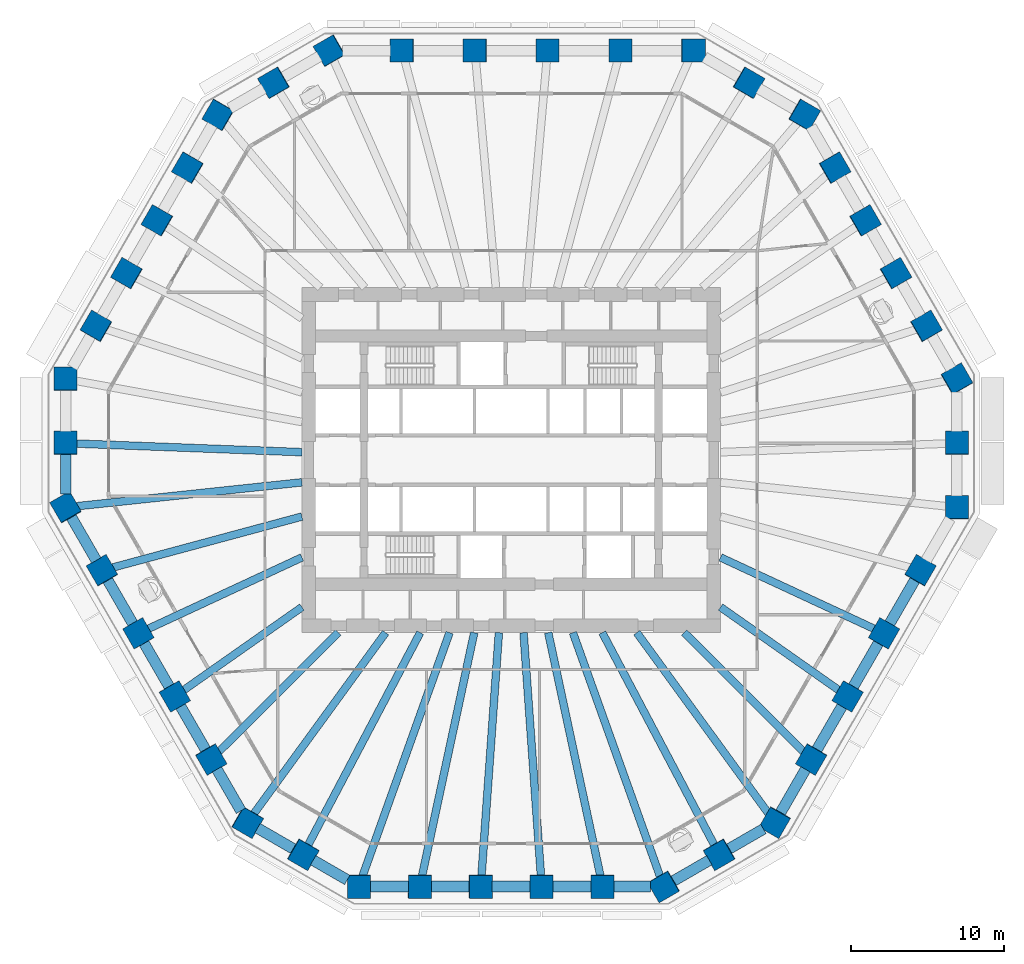
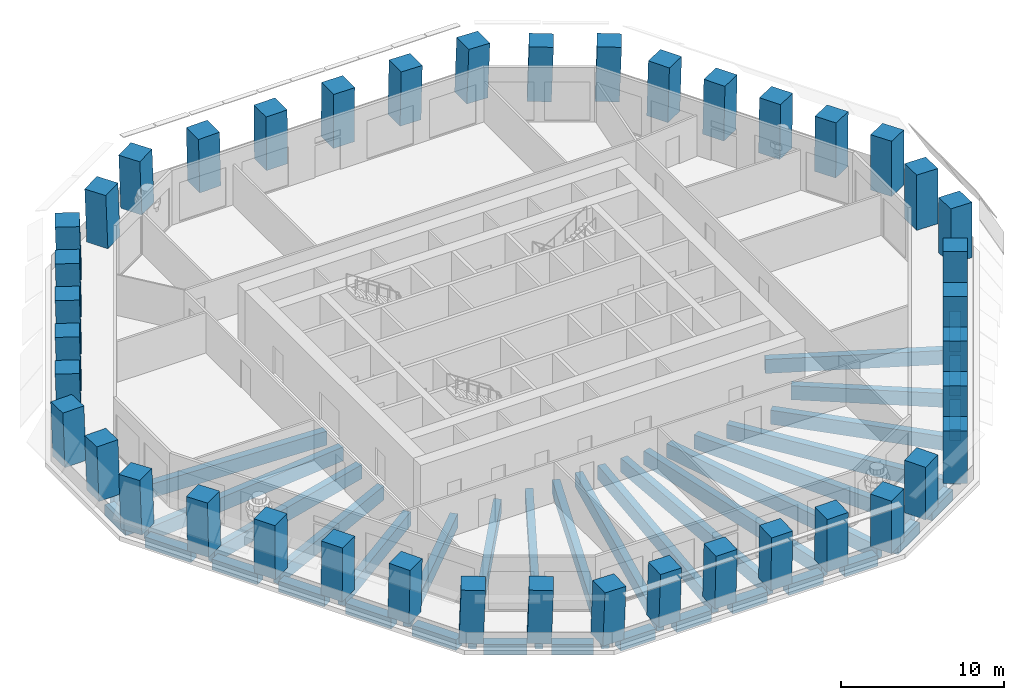
# One storey, part 1 of 12: 42 columns, 38 beams.
"""IFC4 building model written with IfcOpenShell, lengths in metres."""

from ifc_helpers import new_model, si_unit, direction, frame, origin, origin_2d, place, context, subcontext, project, spatial, rectangle, extrude, material, material_profile, profile_set, type_object, element, save


model = new_model("IFC4")

# Units and contexts
model_context = context("Model", 3, precision=1e-05, world=origin(), true_north=direction((0.0, 1.0)))
body_context = subcontext(model_context, "Body", "Model", "MODEL_VIEW")
ifc_project = project(units=[si_unit("LENGTHUNIT", "METRE"), si_unit("AREAUNIT", "SQUARE_METRE"), si_unit("VOLUMEUNIT", "CUBIC_METRE"), si_unit("PLANEANGLEUNIT", "RADIAN"), si_unit("MASSUNIT", "GRAM", prefix="KILO")], contexts=[model_context])

# Site, building, storey
site_placement = place(None, origin())
site = spatial("IfcSite", under=ifc_project, at=site_placement, CompositionType="ELEMENT")
building_placement = place(site_placement, origin())
building = spatial("IfcBuilding", under=site, at=building_placement, Name="Frailejon Research Tower", CompositionType="ELEMENT")
storey_placement = place(building_placement, frame((0.0, 0.0, 49.800048828125)))
storey = spatial("IfcBuildingStorey", under=building, at=storey_placement, Name="L11", CompositionType="ELEMENT", Elevation=49.800048828125)

# Columns
ifc_material_1 = material(Name="Concrete C70/85", Category="concrete")
ifc_material_profile_1 = material_profile(ifc_material_1, rectangle(XDim=1.5, YDim=1.5, at=origin_2d()), Name="Column 1500")
ifc_profile_set_1 = profile_set([ifc_material_profile_1], Name="Concrete C70/85")
column_type = type_object("IfcColumnType", Name="Column 1500", PredefinedType="COLUMN", material=ifc_profile_set_1)
for number, where, z_axis, x_axis, name in (
    (1, (29.051513671875, -3.081298828125, 0.0), (0.018132630042, 0.031385715123, 0.999342856388), (-2.2275817e-05, 0.999507197449, -0.031390472292), "Column C01"),
    (2, (29.051513671875, 1.106201171875, 0.0), (0.018132630042, 0.031385715123, 0.999342856388), (-2.2275817e-05, 0.999507197449, -0.031390472292), "Column C02"),
    (3, (29.051513671875, 5.293701171875, 0.0), (0.018132630042, 0.031385715123, 0.999342856388), (-0.500209083473, 0.865715193431, -0.018112886952), "Column C03"),
):
    element("IfcColumn", number, at=place(storey_placement, frame(where, z_axis=z_axis, x_axis=x_axis)), inside=storey, type_object=column_type, Name=name, PredefinedType="COLUMN", context=body_context, shape_type="SweptSolid", body=[
        extrude(rectangle(XDim=1.5, YDim=1.5, at=origin_2d()), origin(), (0.0, 0.0, 1.0), 4.052734375),
    ])
column_1_placement = place(storey_placement, frame((27.063232421875, 8.737548828125, 0.0), z_axis=(0.021749390218, 0.025123256844, 0.9994477405), x_axis=(-0.500502362591, 0.865666942435, -0.01086875412)))
element("IfcColumn", 4, at=column_1_placement, inside=storey, type_object=column_type, Name="Column C04", PredefinedType="COLUMN", context=body_context, shape_type="SweptSolid", body=[
    extrude(rectangle(XDim=1.5, YDim=1.5, at=origin_2d()), origin(), (0.0, 0.0, 1.0), 4.05224609375),
])
for number, where, z_axis, x_axis, name in (
    (5, (25.074951171875, 12.18115234375, 0.0), (0.025425794273, 0.018858468264, 0.999498817988), (-0.499709914648, 0.866185208492, -0.003631224684), "Column C05"),
    (6, (23.0869140625, 15.625, 0.0), (0.028980660531, 0.012532177527, 0.999501408624), (-0.499450496938, 0.866334867635, 0.003619147421), "Column C06"),
):
    element("IfcColumn", number, at=place(storey_placement, frame(where, z_axis=z_axis, x_axis=x_axis)), inside=storey, type_object=column_type, Name=name, PredefinedType="COLUMN", context=body_context, shape_type="SweptSolid", body=[
        extrude(rectangle(XDim=1.5, YDim=1.5, at=origin_2d()), origin(), (0.0, 0.0, 1.0), 4.052001953125),
    ])
column_2_placement = place(storey_placement, frame((21.098388671875, 19.068603515625, 0.0), z_axis=(0.032654174822, 0.006325993277, 0.999446690262), x_axis=(-0.500478631698, 0.865680616164, 0.010872442804)))
element("IfcColumn", 7, at=column_2_placement, inside=storey, type_object=column_type, Name="Column C07", PredefinedType="COLUMN", context=body_context, shape_type="SweptSolid", body=[
    extrude(rectangle(XDim=1.5, YDim=1.5, at=origin_2d()), origin(), (0.0, 0.0, 1.0), 4.05224609375),
])
for number, where, z_axis, x_axis, name in (
    (8, (19.1103515625, 22.512451171875, 0.0), (0.036205074038, 0.0, 0.999344381389), (-0.865315435316, 0.500246354177, 0.031349362627), "Column C08"),
    (9, (15.483642578125, 24.606201171875, 0.0), (0.036265236264, 0.0, 0.999342199969), (-0.865313546461, 0.500246354177, 0.031401456084), "Column C09"),
    (10, (11.857177734375, 26.699951171875, 0.0), (0.036265236264, 0.0, 0.999342199969), (-0.999342199969, 0.0, 0.036265236264), "Column C10"),
):
    element("IfcColumn", number, at=place(storey_placement, frame(where, z_axis=z_axis, x_axis=x_axis)), inside=storey, type_object=column_type, Name=name, PredefinedType="COLUMN", context=body_context, shape_type="SweptSolid", body=[
        extrude(rectangle(XDim=1.5, YDim=1.5, at=origin_2d()), origin(), (0.0, 0.0, 1.0), 4.052734375),
    ])
column_3_placement = place(storey_placement, frame((7.1142578125, 26.699951171875, 0.0), z_axis=(0.021756257337, 0.0, 0.999763304621), x_axis=(-0.999763304621, 0.0, 0.021756257337)))
element("IfcColumn", 11, at=column_3_placement, inside=storey, type_object=column_type, Name="Column C11", PredefinedType="COLUMN", context=body_context, shape_type="SweptSolid", body=[
    extrude(rectangle(XDim=1.5, YDim=1.5, at=origin_2d()), origin(), (0.0, 0.0, 1.0), 4.051025390625),
])
for number, where, z_axis, x_axis, name in (
    (12, (2.371337890625, 26.699951171875, 0.0), (0.007293795973, 0.0, 0.999973399916), (-0.999973399916, 0.0, 0.007293795973), "Column C12"),
    (13, (-2.371337890625, 26.699951171875, 0.0), (-0.007293795973, 0.0, 0.999973399916), (-0.999973399916, 0.0, -0.007293795973), "Column C13"),
):
    element("IfcColumn", number, at=place(storey_placement, frame(where, z_axis=z_axis, x_axis=x_axis)), inside=storey, type_object=column_type, Name=name, PredefinedType="COLUMN", context=body_context, shape_type="SweptSolid", body=[
        extrude(rectangle(XDim=1.5, YDim=1.5, at=origin_2d()), origin(), (0.0, 0.0, 1.0), 4.050048828125),
    ])
column_4_placement = place(storey_placement, frame((-7.1142578125, 26.699951171875, 0.0), z_axis=(-0.021756257337, 0.0, 0.999763304621), x_axis=(-0.999763304621, 0.0, -0.021756257337)))
element("IfcColumn", 14, at=column_4_placement, inside=storey, type_object=column_type, Name="Column C14", PredefinedType="COLUMN", context=body_context, shape_type="SweptSolid", body=[
    extrude(rectangle(XDim=1.5, YDim=1.5, at=origin_2d()), origin(), (0.0, 0.0, 1.0), 4.051025390625),
])
for number, where, z_axis, x_axis, name in (
    (15, (-11.857177734375, 26.699951171875, 0.0), (-0.036265236264, 0.0, 0.999342199969), (-0.865313546461, -0.500246354177, -0.031401456084), "Column C15"),
    (16, (-15.483642578125, 24.606201171875, 0.0), (-0.036265236264, 0.0, 0.999342199969), (-0.865313546461, -0.500246354177, -0.031401456084), "Column C16"),
    (17, (-19.1103515625, 22.512451171875, 0.0), (-0.036205074038, 0.0, 0.999344381389), (-0.499425957592, -0.866167613071, -0.018093616283), "Column C17"),
):
    element("IfcColumn", number, at=place(storey_placement, frame(where, z_axis=z_axis, x_axis=x_axis)), inside=storey, type_object=column_type, Name=name, PredefinedType="COLUMN", context=body_context, shape_type="SweptSolid", body=[
        extrude(rectangle(XDim=1.5, YDim=1.5, at=origin_2d()), origin(), (0.0, 0.0, 1.0), 4.052734375),
    ])
column_5_placement = place(storey_placement, frame((-21.098388671875, 19.068603515625, 0.0), z_axis=(-0.032654174822, 0.006325993277, 0.999446690262), x_axis=(-0.500478631698, -0.865680616164, -0.010872442804)))
element("IfcColumn", 18, at=column_5_placement, inside=storey, type_object=column_type, Name="Column C18", PredefinedType="COLUMN", context=body_context, shape_type="SweptSolid", body=[
    extrude(rectangle(XDim=1.5, YDim=1.5, at=origin_2d()), origin(), (0.0, 0.0, 1.0), 4.05224609375),
])
for number, where, z_axis, x_axis, name in (
    (19, (-23.0869140625, 15.625, 0.0), (-0.028980660531, 0.012532177527, 0.999501408624), (-0.499450496938, -0.866334867635, -0.003619147421), "Column C19"),
    (20, (-25.074951171875, 12.18115234375, 0.0), (-0.025425794273, 0.018858468264, 0.999498817988), (-0.499709914648, -0.866185208492, 0.003631224684), "Column C20"),
):
    element("IfcColumn", number, at=place(storey_placement, frame(where, z_axis=z_axis, x_axis=x_axis)), inside=storey, type_object=column_type, Name=name, PredefinedType="COLUMN", context=body_context, shape_type="SweptSolid", body=[
        extrude(rectangle(XDim=1.5, YDim=1.5, at=origin_2d()), origin(), (0.0, 0.0, 1.0), 4.052001953125),
    ])
column_6_placement = place(storey_placement, frame((-27.063232421875, 8.737548828125, 0.0), z_axis=(-0.021749390218, 0.025123256844, 0.9994477405), x_axis=(-0.500502362591, -0.865666942435, 0.01086875412)))
element("IfcColumn", 21, at=column_6_placement, inside=storey, type_object=column_type, Name="Column C21", PredefinedType="COLUMN", context=body_context, shape_type="SweptSolid", body=[
    extrude(rectangle(XDim=1.5, YDim=1.5, at=origin_2d()), origin(), (0.0, 0.0, 1.0), 4.05224609375),
])
for number, where, z_axis, x_axis, name in (
    (22, (-29.051513671875, 5.293701171875, 0.0), (-0.018132630042, 0.031385715123, 0.999342856388), (-0.000336383425, -0.999507319949, 0.031384776797), "Column C22"),
    (23, (-29.051513671875, 1.106201171875, 0.0), (-0.018132630042, 0.031385715123, 0.999342856388), (-2.2275817e-05, -0.999507197449, 0.031390472292), "Column C23"),
    (24, (-29.051513671875, -3.081298828125, 0.0), (-0.018132630042, 0.031385715123, 0.999342856388), (0.50014482047, -0.865182814935, 0.036247141934), "Column C24"),
):
    element("IfcColumn", number, at=place(storey_placement, frame(where, z_axis=z_axis, x_axis=x_axis)), inside=storey, type_object=column_type, Name=name, PredefinedType="COLUMN", context=body_context, shape_type="SweptSolid", body=[
        extrude(rectangle(XDim=1.5, YDim=1.5, at=origin_2d()), origin(), (0.0, 0.0, 1.0), 4.052734375),
    ])
column_7_placement = place(storey_placement, frame((-26.679931640625, -7.188720703125, 0.0), z_axis=(-0.010908266268, 0.018803199313, 0.999763696792), x_axis=(0.501388074159, -0.864949390756, 0.021738227219)))
element("IfcColumn", 25, at=column_7_placement, inside=storey, type_object=column_type, Name="Column C25", PredefinedType="COLUMN", context=body_context, shape_type="SweptSolid", body=[
    extrude(rectangle(XDim=1.5, YDim=1.5, at=origin_2d()), origin(), (0.0, 0.0, 1.0), 4.051025390625),
])
for number, where, z_axis, x_axis, name in (
    (26, (-24.30859375, -11.29638671875, 0.0), (-0.003616758439, 0.006329327268, 0.999973428984), (0.495951477881, -0.868319636001, 0.00728980954), "Column C26"),
    (27, (-21.937255859375, -15.40380859375, 0.0), (0.003616759812, -0.006269050341, 0.999973808685), (0.499535500447, -0.866263182786, -0.007237536985), "Column C27"),
):
    element("IfcColumn", number, at=place(storey_placement, frame(where, z_axis=z_axis, x_axis=x_axis)), inside=storey, type_object=column_type, Name=name, PredefinedType="COLUMN", context=body_context, shape_type="SweptSolid", body=[
        extrude(rectangle(XDim=1.5, YDim=1.5, at=origin_2d()), origin(), (0.0, 0.0, 1.0), 4.050048828125),
    ])
column_8_placement = place(storey_placement, frame((-19.565673828125, -19.51123046875, 0.0), z_axis=(0.010908266268, -0.018803199313, 0.999763696792), x_axis=(0.501388074159, -0.864949390756, -0.021738227219)))
element("IfcColumn", 28, at=column_8_placement, inside=storey, type_object=column_type, Name="Column C28", PredefinedType="COLUMN", context=body_context, shape_type="SweptSolid", body=[
    extrude(rectangle(XDim=1.5, YDim=1.5, at=origin_2d()), origin(), (0.0, 0.0, 1.0), 4.051025390625),
])
for number, where, z_axis, x_axis, name in (
    (29, (-17.1943359375, -23.61865234375, 0.0), (0.018132630042, -0.031385715123, 0.999342856388), (0.865884970752, -0.499257274245, -0.031390946777), "Column C29"),
    (30, (-13.567626953125, -25.71240234375, 0.0), (0.018132630042, -0.031385715123, 0.999342856388), (0.866156195426, -0.498787200508, -0.031381104725), "Column C30"),
    (31, (-9.941162109375, -27.80615234375, 0.0), (0.018132595726, -0.031445896907, 0.999340965106), (0.999835550636, 0.000286381875, -0.018132558286), "Column C31"),
):
    element("IfcColumn", number, at=place(storey_placement, frame(where, z_axis=z_axis, x_axis=x_axis)), inside=storey, type_object=column_type, Name=name, PredefinedType="COLUMN", context=body_context, shape_type="SweptSolid", body=[
        extrude(rectangle(XDim=1.5, YDim=1.5, at=origin_2d()), origin(), (0.0, 0.0, 1.0), 4.052734375),
    ])
column_9_placement = place(storey_placement, frame((-5.964599609375, -27.80615234375, 0.0), z_axis=(0.010844558034, -0.031449218299, 0.999446517944), x_axis=(0.999940272601, -0.001017302155, -0.010881926626)))
element("IfcColumn", 32, at=column_9_placement, inside=storey, type_object=column_type, Name="Column C32", PredefinedType="COLUMN", context=body_context, shape_type="SweptSolid", body=[
    extrude(rectangle(XDim=1.5, YDim=1.5, at=origin_2d()), origin(), (0.0, 0.0, 1.0), 4.05224609375),
])
for number, where, z_axis, x_axis, name in (
    (33, (-1.98828125, -27.80615234375, 0.0), (0.003615041636, -0.031450862236, 0.999498761749), (0.999993465412, 8.9073869e-05, -0.003614028053), "Column C33"),
    (34, (1.98828125, -27.80615234375, 0.0), (-0.003615041636, -0.031450862236, 0.999498761749), (0.999993465412, -8.9073869e-05, 0.003614028053), "Column C34"),
):
    element("IfcColumn", number, at=place(storey_placement, frame(where, z_axis=z_axis, x_axis=x_axis)), inside=storey, type_object=column_type, Name=name, PredefinedType="COLUMN", context=body_context, shape_type="SweptSolid", body=[
        extrude(rectangle(XDim=1.5, YDim=1.5, at=origin_2d()), origin(), (0.0, 0.0, 1.0), 4.052001953125),
    ])
column_10_placement = place(storey_placement, frame((5.964599609375, -27.80615234375, 0.0), z_axis=(-0.010844558034, -0.031449218299, 0.999446517944), x_axis=(0.999940272601, 0.001017302155, 0.010881926626)))
element("IfcColumn", 35, at=column_10_placement, inside=storey, type_object=column_type, Name="Column C35", PredefinedType="COLUMN", context=body_context, shape_type="SweptSolid", body=[
    extrude(rectangle(XDim=1.5, YDim=1.5, at=origin_2d()), origin(), (0.0, 0.0, 1.0), 4.05224609375),
])
for number, where, z_axis, x_axis, name in (
    (36, (9.941162109375, -27.80615234375, 0.0), (-0.018132595726, -0.031445896907, 0.999340965106), (0.865740985748, 0.499504693256, 0.031426215359), "Column C36"),
    (37, (13.567626953125, -25.71240234375, 0.0), (-0.018132630042, -0.031385715123, 0.999342856388), (0.866156195426, 0.498787200508, 0.031381104725), "Column C37"),
    (38, (17.1943359375, -23.61865234375, 0.0), (-0.018132630042, -0.031385715123, 0.999342856388), (0.499674818932, 0.865454343132, 0.036247141676), "Column C38"),
):
    element("IfcColumn", number, at=place(storey_placement, frame(where, z_axis=z_axis, x_axis=x_axis)), inside=storey, type_object=column_type, Name=name, PredefinedType="COLUMN", context=body_context, shape_type="SweptSolid", body=[
        extrude(rectangle(XDim=1.5, YDim=1.5, at=origin_2d()), origin(), (0.0, 0.0, 1.0), 4.052734375),
    ])
column_11_placement = place(storey_placement, frame((19.565673828125, -19.51123046875, 0.0), z_axis=(-0.010908266268, -0.018803199313, 0.999763696792), x_axis=(0.501388074159, 0.864949390756, 0.021738227219)))
element("IfcColumn", 39, at=column_11_placement, inside=storey, type_object=column_type, Name="Column C39", PredefinedType="COLUMN", context=body_context, shape_type="SweptSolid", body=[
    extrude(rectangle(XDim=1.5, YDim=1.5, at=origin_2d()), origin(), (0.0, 0.0, 1.0), 4.051025390625),
])
for number, where, z_axis, x_axis, name in (
    (40, (21.937255859375, -15.40380859375, 0.0), (-0.003616759812, -0.006269050341, 0.999973808685), (0.499535500447, 0.866263182786, 0.007237536985), "Column C40"),
    (41, (24.30859375, -11.29638671875, 0.0), (0.003616758439, 0.006329327268, 0.999973428984), (0.495951477881, 0.868319636001, -0.00728980954), "Column C41"),
):
    element("IfcColumn", number, at=place(storey_placement, frame(where, z_axis=z_axis, x_axis=x_axis)), inside=storey, type_object=column_type, Name=name, PredefinedType="COLUMN", context=body_context, shape_type="SweptSolid", body=[
        extrude(rectangle(XDim=1.5, YDim=1.5, at=origin_2d()), origin(), (0.0, 0.0, 1.0), 4.050048828125),
    ])
column_12_placement = place(storey_placement, frame((26.679931640625, -7.188720703125, 0.0), z_axis=(0.010908266268, 0.018803199313, 0.999763696792), x_axis=(0.501388074159, 0.864949390756, -0.021738227219)))
element("IfcColumn", 42, at=column_12_placement, inside=storey, type_object=column_type, Name="Column C42", PredefinedType="COLUMN", context=body_context, shape_type="SweptSolid", body=[
    extrude(rectangle(XDim=1.5, YDim=1.5, at=origin_2d()), origin(), (0.0, 0.0, 1.0), 4.051025390625),
])

# Beams
ifc_material_2 = material(Name="Concrete C60/75", Category="concrete")
ifc_material_profile_2 = material_profile(ifc_material_2, rectangle(XDim=0.5, YDim=1.050048828125, at=origin_2d()), Name="Girder 500x1050")
ifc_profile_set_2 = profile_set([ifc_material_profile_2], Name="Concrete C60/75")
beam_type_1 = type_object("IfcBeamType", Name="Girder 500x1050", PredefinedType="BEAM", material=ifc_profile_set_2)
beam_1_placement = place(storey_placement, frame((-28.451416015625, 1.083251953125, -0.824951171875), z_axis=(0.999276168094, -0.038041291767, 0.0), x_axis=(0.038041291767, 0.999276168094, 0.0)))
element("IfcBeam", 43, at=beam_1_placement, inside=storey, type_object=beam_type_1, Name="Girder 500x1050", PredefinedType="BEAM", context=body_context, shape_type="SweptSolid", body=[
    extrude(rectangle(XDim=0.5, YDim=1.050048828125, at=origin_2d()), origin(), (0.0, 0.0, 1.0), 14.812255859375),
])
beam_2_placement = place(storey_placement, frame((-28.384521484375, -3.0107421875, -0.824951171875), z_axis=(0.994420987406, 0.10548412111, 0.0), x_axis=(-0.10548412111, 0.994420987406, 0.0)))
element("IfcBeam", 44, at=beam_2_placement, inside=storey, type_object=beam_type_1, Name="Girder 500x1050", PredefinedType="BEAM", context=body_context, shape_type="SweptSolid", body=[
    extrude(rectangle(XDim=0.5, YDim=1.050048828125, at=origin_2d()), origin(), (0.0, 0.0, 1.0), 14.8173828125),
])
beam_3_placement = place(storey_placement, frame((-26.075439453125, -7.02587890625, -0.824951171875), z_axis=(0.965565733817, 0.260159208328, 0.0), x_axis=(-0.260159208328, 0.965565733817, 0.0)))
element("IfcBeam", 45, at=beam_3_placement, inside=storey, type_object=beam_type_1, Name="Girder 500x1050", PredefinedType="BEAM", context=body_context, shape_type="SweptSolid", body=[
    extrude(rectangle(XDim=0.5, YDim=1.050048828125, at=origin_2d()), origin(), (0.0, 0.0, 1.0), 12.86865234375),
])
beam_4_placement = place(storey_placement, frame((-23.76171875, -11.042236328125, -0.824951171875), z_axis=(0.906864951715, 0.421421356069, 0.0), x_axis=(-0.421421356069, 0.906864951715, 0.0)))
element("IfcBeam", 46, at=beam_4_placement, inside=storey, type_object=beam_type_1, Name="Girder 500x1050", PredefinedType="BEAM", context=body_context, shape_type="SweptSolid", body=[
    extrude(rectangle(XDim=0.5, YDim=1.050048828125, at=origin_2d()), origin(), (0.0, 0.0, 1.0), 11.150390625),
])
beam_5_placement = place(storey_placement, frame((-21.443603515625, -15.05712890625, -0.824951171875), z_axis=(0.818401224308, 0.574647227481, 0.0), x_axis=(-0.574647227481, 0.818401224308, 0.0)))
element("IfcBeam", 47, at=beam_5_placement, inside=storey, type_object=beam_type_1, Name="Girder 500x1050", PredefinedType="BEAM", context=body_context, shape_type="SweptSolid", body=[
    extrude(rectangle(XDim=0.5, YDim=1.050048828125, at=origin_2d()), origin(), (0.0, 0.0, 1.0), 9.523193359375),
])
beam_6_placement = place(storey_placement, frame((-19.122314453125, -19.069091796875, -0.824951171875), z_axis=(0.708087227733, 0.706124973303, 0.0), x_axis=(-0.706124973303, 0.708087227733, 0.0)))
element("IfcBeam", 48, at=beam_6_placement, inside=storey, type_object=beam_type_1, Name="Girder 500x1050", PredefinedType="BEAM", context=body_context, shape_type="SweptSolid", body=[
    extrude(rectangle(XDim=0.5, YDim=1.050048828125, at=origin_2d()), origin(), (0.0, 0.0, 1.0), 11.0732421875),
])
beam_7_placement = place(storey_placement, frame((-16.838623046875, -23.130126953125, -0.824951171875), z_axis=(0.588553935508, 0.808457954997, 0.0), x_axis=(-0.808457954997, 0.588553935508, 0.0)))
element("IfcBeam", 49, at=beam_7_placement, inside=storey, type_object=beam_type_1, Name="Girder 500x1050", PredefinedType="BEAM", context=body_context, shape_type="SweptSolid", body=[
    extrude(rectangle(XDim=0.5, YDim=1.050048828125, at=origin_2d()), origin(), (0.0, 0.0, 1.0), 14.69482421875),
])
beam_8_placement = place(storey_placement, frame((-13.287353515625, -25.181396484375, -0.824951171875), z_axis=(0.466678811635, 0.884426869091, 0.0), x_axis=(-0.884426869091, 0.466678811635, 0.0)))
element("IfcBeam", 50, at=beam_8_placement, inside=storey, type_object=beam_type_1, Name="Girder 500x1050", PredefinedType="BEAM", context=body_context, shape_type="SweptSolid", body=[
    extrude(rectangle(XDim=0.5, YDim=1.050048828125, at=origin_2d()), origin(), (0.0, 0.0, 1.0), 15.751953125),
])
beam_9_placement = place(storey_placement, frame((-9.7236328125, -27.197509765625, -0.824951171875), z_axis=(0.336644126179, 0.941631951619, 0.0), x_axis=(-0.941631951619, 0.336644126179, 0.0)))
element("IfcBeam", 51, at=beam_9_placement, inside=storey, type_object=beam_type_1, Name="Girder 500x1050", PredefinedType="BEAM", context=body_context, shape_type="SweptSolid", body=[
    extrude(rectangle(XDim=0.5, YDim=1.050048828125, at=origin_2d()), origin(), (0.0, 0.0, 1.0), 16.93603515625),
])
beam_10_placement = place(storey_placement, frame((-5.835205078125, -27.202880859375, -0.824951171875), z_axis=(0.20974265959, 0.977756624497, 0.0), x_axis=(-0.977756624497, 0.20974265959, 0.0)))
element("IfcBeam", 52, at=beam_10_placement, inside=storey, type_object=beam_type_1, Name="Girder 500x1050", PredefinedType="BEAM", context=body_context, shape_type="SweptSolid", body=[
    extrude(rectangle(XDim=0.5, YDim=1.050048828125, at=origin_2d()), origin(), (0.0, 0.0, 1.0), 16.31591796875),
])
for number, where, z_axis, x_axis, name in (
    (53, (-1.9453125, -27.205810546875, -0.824951171875), (0.071319719011, 0.997453506526, 0.0), (-0.997453506526, 0.071319719011, 0.0), "Girder 500x1050"),
    (54, (1.9453125, -27.205810546875, -0.824951171875), (-0.071319719011, 0.997453506526, 0.0), (-0.997453506526, -0.071319719011, 0.0), "Girder 500x1050"),
):
    element("IfcBeam", number, at=place(storey_placement, frame(where, z_axis=z_axis, x_axis=x_axis)), inside=storey, type_object=beam_type_1, Name=name, PredefinedType="BEAM", context=body_context, shape_type="SweptSolid", body=[
        extrude(rectangle(XDim=0.5, YDim=1.050048828125, at=origin_2d()), origin(), (0.0, 0.0, 1.0), 15.99658203125),
    ])
beam_11_placement = place(storey_placement, frame((5.835205078125, -27.202880859375, -0.824951171875), z_axis=(-0.20974265959, 0.977756624497, 0.0), x_axis=(-0.977756624497, -0.20974265959, 0.0)))
element("IfcBeam", 55, at=beam_11_placement, inside=storey, type_object=beam_type_1, Name="Girder 500x1050", PredefinedType="BEAM", context=body_context, shape_type="SweptSolid", body=[
    extrude(rectangle(XDim=0.5, YDim=1.050048828125, at=origin_2d()), origin(), (0.0, 0.0, 1.0), 16.31591796875),
])
beam_12_placement = place(storey_placement, frame((9.735107421875, -27.2294921875, -0.824951171875), z_axis=(-0.336646243842, 0.941631194527, 0.0), x_axis=(-0.941631194527, -0.336646243842, 0.0)))
element("IfcBeam", 56, at=beam_12_placement, inside=storey, type_object=beam_type_1, Name="Girder 500x1050", PredefinedType="BEAM", context=body_context, shape_type="SweptSolid", body=[
    extrude(rectangle(XDim=0.5, YDim=1.050048828125, at=origin_2d()), origin(), (0.0, 0.0, 1.0), 16.969970703125),
])
beam_13_placement = place(storey_placement, frame((13.287353515625, -25.181396484375, -0.824951171875), z_axis=(-0.466678811635, 0.884426869091, 0.0), x_axis=(-0.884426869091, -0.466678811635, 0.0)))
element("IfcBeam", 57, at=beam_13_placement, inside=storey, type_object=beam_type_1, Name="Girder 500x1050", PredefinedType="BEAM", context=body_context, shape_type="SweptSolid", body=[
    extrude(rectangle(XDim=0.5, YDim=1.050048828125, at=origin_2d()), origin(), (0.0, 0.0, 1.0), 15.751953125),
])
beam_14_placement = place(storey_placement, frame((16.799560546875, -23.076416015625, -0.824951171875), z_axis=(-0.588555670583, 0.808456691867, 0.0), x_axis=(-0.808456691867, -0.588555670583, 0.0)))
element("IfcBeam", 58, at=beam_14_placement, inside=storey, type_object=beam_type_1, Name="Girder 500x1050", PredefinedType="BEAM", context=body_context, shape_type="SweptSolid", body=[
    extrude(rectangle(XDim=0.5, YDim=1.050048828125, at=origin_2d()), origin(), (0.0, 0.0, 1.0), 14.62841796875),
])
beam_15_placement = place(storey_placement, frame((19.122314453125, -19.069091796875, -0.824951171875), z_axis=(-0.708087227733, 0.706124973303, 0.0), x_axis=(-0.706124973303, -0.708087227733, 0.0)))
element("IfcBeam", 59, at=beam_15_placement, inside=storey, type_object=beam_type_1, Name="Girder 500x1050", PredefinedType="BEAM", context=body_context, shape_type="SweptSolid", body=[
    extrude(rectangle(XDim=0.5, YDim=1.050048828125, at=origin_2d()), origin(), (0.0, 0.0, 1.0), 11.0732421875),
])
beam_16_placement = place(storey_placement, frame((21.443603515625, -15.05712890625, -0.824951171875), z_axis=(-0.818401224308, 0.574647227481, 0.0), x_axis=(-0.574647227481, -0.818401224308, 0.0)))
element("IfcBeam", 60, at=beam_16_placement, inside=storey, type_object=beam_type_1, Name="Girder 500x1050", PredefinedType="BEAM", context=body_context, shape_type="SweptSolid", body=[
    extrude(rectangle(XDim=0.5, YDim=1.050048828125, at=origin_2d()), origin(), (0.0, 0.0, 1.0), 9.523193359375),
])
beam_17_placement = place(storey_placement, frame((23.76171875, -11.042236328125, -0.824951171875), z_axis=(-0.906864951715, 0.421421356069, 0.0), x_axis=(-0.421421356069, -0.906864951715, 0.0)))
element("IfcBeam", 61, at=beam_17_placement, inside=storey, type_object=beam_type_1, Name="Girder 500x1050", PredefinedType="BEAM", context=body_context, shape_type="SweptSolid", body=[
    extrude(rectangle(XDim=0.5, YDim=1.050048828125, at=origin_2d()), origin(), (0.0, 0.0, 1.0), 11.150390625),
])
ifc_material_3 = material(Name="Concrete C60/75", Category="concrete")
ifc_material_profile_3 = material_profile(ifc_material_3, rectangle(XDim=0.699951171875, YDim=0.800048828125, at=origin_2d()), Name="Spandrel 700x800")
ifc_profile_set_3 = profile_set([ifc_material_profile_3], Name="Concrete C60/75")
beam_type_2 = type_object("IfcBeamType", Name="Spandrel 700x800", PredefinedType="BEAM", material=ifc_profile_set_3)
beam_18_placement = place(storey_placement, frame((-29.051513671875, 0.356201171875, -0.75), z_axis=(0.0, -1.0, 0.0), x_axis=(1.0, 0.0, 0.0)))
element("IfcBeam", 62, at=beam_18_placement, inside=storey, type_object=beam_type_2, Name="Spandrel 700x800", PredefinedType="BEAM", context=body_context, shape_type="SweptSolid", body=[
    extrude(rectangle(XDim=0.699951171875, YDim=0.800048828125, at=origin_2d()), origin(), (0.0, 0.0, 1.0), 2.571533203125),
])
beam_19_placement = place(storey_placement, frame((-28.676513671875, -3.73095703125, -0.75), z_axis=(0.500041774222, -0.866001284083, 0.0), x_axis=(0.866001284083, 0.500041774222, 0.0)))
element("IfcBeam", 63, at=beam_19_placement, inside=storey, type_object=beam_type_2, Name="Spandrel 700x800", PredefinedType="BEAM", context=body_context, shape_type="SweptSolid", body=[
    extrude(rectangle(XDim=0.699951171875, YDim=0.800048828125, at=origin_2d()), origin(), (0.0, 0.0, 1.0), 3.242919921875),
])
for number, where, z_axis, x_axis, name in (
    (64, (-26.304931640625, -7.83837890625, -0.75), (0.499985310564, -0.866033884568, 0.0), (0.866033884568, 0.499985310564, 0.0), "Spandrel 700x800"),
    (65, (-23.93359375, -11.94580078125, -0.75), (0.499985310564, -0.866033884568, 0.0), (0.866033884568, 0.499985310564, 0.0), "Spandrel 700x800"),
):
    element("IfcBeam", number, at=place(storey_placement, frame(where, z_axis=z_axis, x_axis=x_axis)), inside=storey, type_object=beam_type_2, Name=name, PredefinedType="BEAM", context=body_context, shape_type="SweptSolid", body=[
        extrude(rectangle(XDim=0.699951171875, YDim=0.800048828125, at=origin_2d()), origin(), (0.0, 0.0, 1.0), 3.24267578125),
    ])
beam_20_placement = place(storey_placement, frame((-21.562255859375, -16.05322265625, -0.75), z_axis=(0.500009174894, -0.866020106592, 0.0), x_axis=(0.866020106592, 0.500009174894, 0.0)))
element("IfcBeam", 66, at=beam_20_placement, inside=storey, type_object=beam_type_2, Name="Spandrel 700x800", PredefinedType="BEAM", context=body_context, shape_type="SweptSolid", body=[
    extrude(rectangle(XDim=0.699951171875, YDim=0.800048828125, at=origin_2d()), origin(), (0.0, 0.0, 1.0), 3.2431640625),
])
beam_21_placement = place(storey_placement, frame((-19.190673828125, -20.16064453125, -0.75), z_axis=(0.500001804394, -0.866024362014, 0.0), x_axis=(0.866024362014, 0.500001804394, 0.0)))
element("IfcBeam", 67, at=beam_21_placement, inside=storey, type_object=beam_type_2, Name="Spandrel 700x800", PredefinedType="BEAM", context=body_context, shape_type="SweptSolid", body=[
    extrude(rectangle(XDim=0.699951171875, YDim=0.800048828125, at=origin_2d()), origin(), (0.0, 0.0, 1.0), 3.126953125),
])
beam_22_placement = place(storey_placement, frame((-16.544921875, -23.99365234375, -0.75), z_axis=(0.866043397086, -0.499968833392, 0.0), x_axis=(0.499968833392, 0.866043397086, 0.0)))
element("IfcBeam", 68, at=beam_22_placement, inside=storey, type_object=beam_type_2, Name="Spandrel 700x800", PredefinedType="BEAM", context=body_context, shape_type="SweptSolid", body=[
    extrude(rectangle(XDim=0.699951171875, YDim=0.800048828125, at=origin_2d()), origin(), (0.0, 0.0, 1.0), 2.687744140625),
])
beam_23_placement = place(storey_placement, frame((-12.918212890625, -26.08740234375, -0.75), z_axis=(0.866008514048, -0.50002925274, 0.0), x_axis=(0.50002925274, 0.866008514048, 0.0)))
element("IfcBeam", 69, at=beam_23_placement, inside=storey, type_object=beam_type_2, Name="Spandrel 700x800", PredefinedType="BEAM", context=body_context, shape_type="SweptSolid", body=[
    extrude(rectangle(XDim=0.699951171875, YDim=0.800048828125, at=origin_2d()), origin(), (0.0, 0.0, 1.0), 2.571533203125),
])
beam_24_placement = place(storey_placement, frame((-9.191162109375, -27.80615234375, -0.75), z_axis=(1.0, 0.0, 0.0), x_axis=(0.0, 1.0, 0.0)))
element("IfcBeam", 70, at=beam_24_placement, inside=storey, type_object=beam_type_2, Name="Spandrel 700x800", PredefinedType="BEAM", context=body_context, shape_type="SweptSolid", body=[
    extrude(rectangle(XDim=0.699951171875, YDim=0.800048828125, at=origin_2d()), origin(), (0.0, 0.0, 1.0), 2.4765625),
])
beam_25_placement = place(storey_placement, frame((-5.214599609375, -27.80615234375, -0.75), z_axis=(1.0, 0.0, 0.0), x_axis=(0.0, 1.0, 0.0)))
element("IfcBeam", 71, at=beam_25_placement, inside=storey, type_object=beam_type_2, Name="Spandrel 700x800", PredefinedType="BEAM", context=body_context, shape_type="SweptSolid", body=[
    extrude(rectangle(XDim=0.699951171875, YDim=0.800048828125, at=origin_2d()), origin(), (0.0, 0.0, 1.0), 2.476318359375),
])
beam_26_placement = place(storey_placement, frame((-1.23828125, -27.80615234375, -0.75), z_axis=(1.0, 0.0, 0.0), x_axis=(0.0, 1.0, 0.0)))
element("IfcBeam", 72, at=beam_26_placement, inside=storey, type_object=beam_type_2, Name="Spandrel 700x800", PredefinedType="BEAM", context=body_context, shape_type="SweptSolid", body=[
    extrude(rectangle(XDim=0.699951171875, YDim=0.800048828125, at=origin_2d()), origin(), (0.0, 0.0, 1.0), 2.4765625),
])
beam_27_placement = place(storey_placement, frame((2.73828125, -27.80615234375, -0.75), z_axis=(1.0, 0.0, 0.0), x_axis=(0.0, 1.0, 0.0)))
element("IfcBeam", 73, at=beam_27_placement, inside=storey, type_object=beam_type_2, Name="Spandrel 700x800", PredefinedType="BEAM", context=body_context, shape_type="SweptSolid", body=[
    extrude(rectangle(XDim=0.699951171875, YDim=0.800048828125, at=origin_2d()), origin(), (0.0, 0.0, 1.0), 2.476318359375),
])
beam_28_placement = place(storey_placement, frame((6.714599609375, -27.80615234375, -0.75), z_axis=(1.0, 0.0, 0.0), x_axis=(0.0, 1.0, 0.0)))
element("IfcBeam", 74, at=beam_28_placement, inside=storey, type_object=beam_type_2, Name="Spandrel 700x800", PredefinedType="BEAM", context=body_context, shape_type="SweptSolid", body=[
    extrude(rectangle(XDim=0.699951171875, YDim=0.800048828125, at=origin_2d()), origin(), (0.0, 0.0, 1.0), 2.360595703125),
])
beam_29_placement = place(storey_placement, frame((10.5908203125, -27.43115234375, -0.75), z_axis=(0.866020687897, 0.500008168067, 0.0), x_axis=(-0.500008168067, 0.866020687897, 0.0)))
element("IfcBeam", 75, at=beam_29_placement, inside=storey, type_object=beam_type_2, Name="Spandrel 700x800", PredefinedType="BEAM", context=body_context, shape_type="SweptSolid", body=[
    extrude(rectangle(XDim=0.699951171875, YDim=0.800048828125, at=origin_2d()), origin(), (0.0, 0.0, 1.0), 2.6875),
])
beam_30_placement = place(storey_placement, frame((14.21728515625, -25.33740234375, -0.75), z_axis=(0.866008514048, 0.50002925274, 0.0), x_axis=(-0.50002925274, 0.866008514048, 0.0)))
element("IfcBeam", 76, at=beam_30_placement, inside=storey, type_object=beam_type_2, Name="Spandrel 700x800", PredefinedType="BEAM", context=body_context, shape_type="SweptSolid", body=[
    extrude(rectangle(XDim=0.699951171875, YDim=0.800048828125, at=origin_2d()), origin(), (0.0, 0.0, 1.0), 2.571533203125),
])
beam_31_placement = place(storey_placement, frame((17.5693359375, -22.968994140625, -0.75), z_axis=(0.499985310564, 0.866033884568, 0.0), x_axis=(-0.866033884568, 0.499985310564, 0.0)))
element("IfcBeam", 77, at=beam_31_placement, inside=storey, type_object=beam_type_2, Name="Spandrel 700x800", PredefinedType="BEAM", context=body_context, shape_type="SweptSolid", body=[
    extrude(rectangle(XDim=0.699951171875, YDim=0.800048828125, at=origin_2d()), origin(), (0.0, 0.0, 1.0), 3.24267578125),
])
beam_32_placement = place(storey_placement, frame((19.940673828125, -18.86181640625, -0.75), z_axis=(0.500009174894, 0.866020106592, 0.0), x_axis=(-0.866020106592, 0.500009174894, 0.0)))
element("IfcBeam", 78, at=beam_32_placement, inside=storey, type_object=beam_type_2, Name="Spandrel 700x800", PredefinedType="BEAM", context=body_context, shape_type="SweptSolid", body=[
    extrude(rectangle(XDim=0.699951171875, YDim=0.800048828125, at=origin_2d()), origin(), (0.0, 0.0, 1.0), 3.2431640625),
])
for number, where, z_axis, x_axis, name in (
    (79, (22.312255859375, -14.754150390625, -0.75), (0.499985310564, 0.866033884568, 0.0), (-0.866033884568, 0.499985310564, 0.0), "Spandrel 700x800"),
    (80, (24.68359375, -10.646728515625, -0.75), (0.499985310564, 0.866033884568, 0.0), (-0.866033884568, 0.499985310564, 0.0), "Spandrel 700x800"),
):
    element("IfcBeam", number, at=place(storey_placement, frame(where, z_axis=z_axis, x_axis=x_axis)), inside=storey, type_object=beam_type_2, Name=name, PredefinedType="BEAM", context=body_context, shape_type="SweptSolid", body=[
        extrude(rectangle(XDim=0.699951171875, YDim=0.800048828125, at=origin_2d()), origin(), (0.0, 0.0, 1.0), 3.24267578125),
    ])

save(model, "model.ifc")
